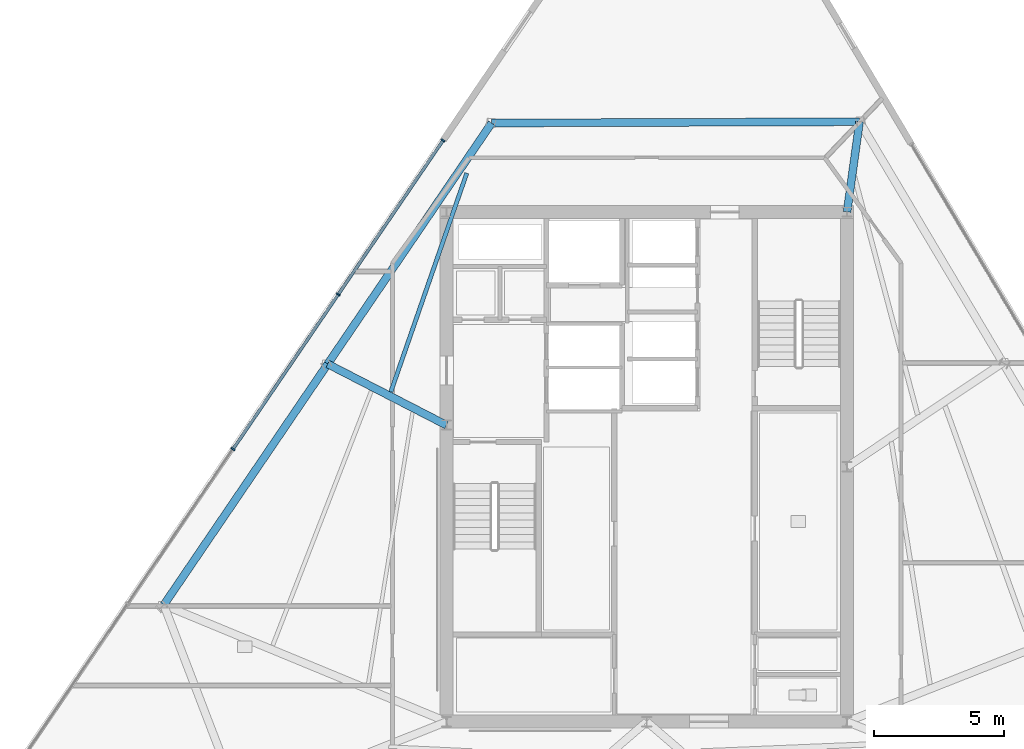
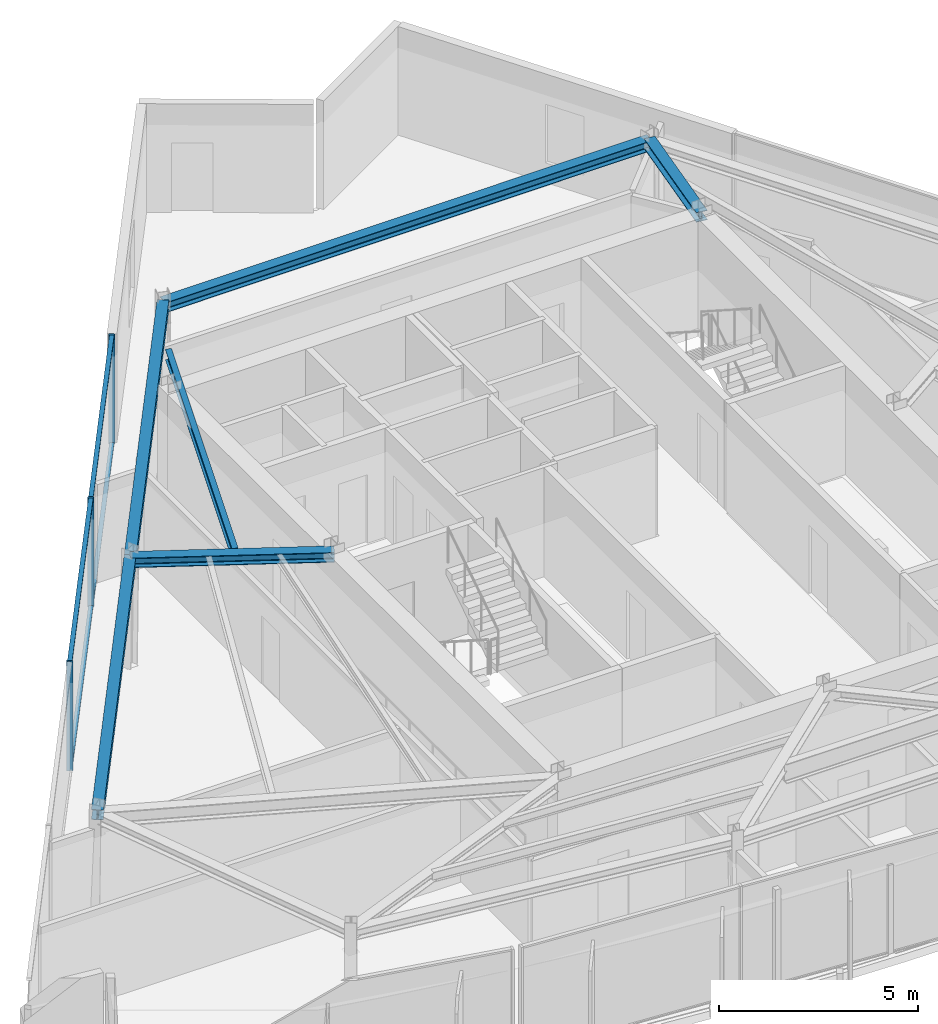
# One storey, part 4 of 12: 7 members, 6 beams, 1 element without a shape of its own.
"""IFC4 building model written with IfcOpenShell, lengths in metres."""

import ifcopenshell
import ifcopenshell.guid

model = None  # the IFC model being written
_history = None  # IfcOwnerHistory: only IFC2X3 demands one
_inside = {}  # id of a spatial element -> (the spatial element, [elements in it])
_under = {}  # id of a project, library or spatial element -> (it, [spatial elements below it])
_declared = {}  # id of a project -> (the project, [libraries it declares])
_typed = {}  # id of a type object -> (the type object, [elements of that type])
_made_of = {}  # id of a material, layer set ... -> (it, [elements and type objects made of it])


def new_model(schema):
    """Start an empty IFC model of exactly this schema.

    Asked for "IFC4X3", IfcOpenShell would pick the latest addendum, in which some entities
    have other attributes; the version numbers below select the first issue.
    IFC2X3 requires an IfcOwnerHistory on every rooted entity: one is made here for all.
    """
    global model, _history
    if schema == "IFC4X3":
        model = ifcopenshell.file(schema_version=(4, 3, 0, 0))
    else:
        model = ifcopenshell.file(schema=schema)
    _inside.clear()
    _under.clear()
    _declared.clear()
    _typed.clear()
    _made_of.clear()
    _history = None
    if model.schema == "IFC2X3":
        org = make("IfcOrganization", Name="unknown")
        user = make(
            "IfcPersonAndOrganization",
            ThePerson=make("IfcPerson", FamilyName="unknown"),
            TheOrganization=org,
        )
        app = make(
            "IfcApplication",
            ApplicationDeveloper=org,
            Version="unknown",
            ApplicationFullName="unknown",
            ApplicationIdentifier="unknown",
        )
        _history = make(
            "IfcOwnerHistory",
            OwningUser=user,
            OwningApplication=app,
            ChangeAction="ADDED",
            CreationDate=0,
        )
    return model


def make(cls, **values):
    """One entity of the class cls with the attributes given. An attribute that is None is left unset."""
    return model.create_entity(
        cls, **{name: value for name, value in values.items() if value is not None}
    )


def rooted(cls, **values):
    """An entity with a GlobalId (a new one), such as an element, a storey or a relation."""
    return make(cls, GlobalId=ifcopenshell.guid.new(), OwnerHistory=_history, **values)


def si_unit(unit_type, name, prefix=None):
    """IfcSIUnit, for example si_unit("LENGTHUNIT", "METRE", prefix="MILLI")."""
    return make("IfcSIUnit", UnitType=unit_type, Prefix=prefix, Name=name)


def assignment(units):
    """IfcUnitAssignment: the units of a project."""
    return None if units is None else make("IfcUnitAssignment", Units=units)


def point(xyz):
    """IfcCartesianPoint."""
    return None if xyz is None else make("IfcCartesianPoint", Coordinates=xyz)


def direction(xyz):
    """IfcDirection."""
    return None if xyz is None else make("IfcDirection", DirectionRatios=xyz)


def frame(location, z_axis=None, x_axis=None):
    """IfcAxis2Placement3D, a coordinate frame: its origin and axes. An axis left out is left unset."""
    return make(
        "IfcAxis2Placement3D",
        Location=point(location),
        Axis=direction(z_axis),
        RefDirection=direction(x_axis),
    )


def frame_2d(location, x_axis=None):
    """IfcAxis2Placement2D, a coordinate frame in the plane: its origin and x axis."""
    return make(
        "IfcAxis2Placement2D", Location=point(location), RefDirection=direction(x_axis)
    )


def origin():
    """The frame at (0, 0, 0) with its axes left unset."""
    return frame((0.0, 0.0, 0.0))


def origin_2d():
    """The frame at (0, 0) in the plane with its x axis left unset."""
    return frame_2d((0.0, 0.0))


def place(relative_to, where):
    """IfcLocalPlacement: puts the frame where relative to a parent placement (None: the world)."""
    return make(
        "IfcLocalPlacement", PlacementRelTo=relative_to, RelativePlacement=where
    )


def context(
    kind, dimensions, precision=None, world=None, true_north=None, identifier=None
):
    """IfcGeometricRepresentationContext, for example the 3D "Model" context."""
    return make(
        "IfcGeometricRepresentationContext",
        ContextIdentifier=identifier,
        ContextType=kind,
        CoordinateSpaceDimension=dimensions,
        Precision=precision,
        WorldCoordinateSystem=world,
        TrueNorth=true_north,
    )


def subcontext(parent, identifier, kind, view, scale=None):
    """IfcGeometricRepresentationSubContext, for example "Body" below "Model"."""
    return make(
        "IfcGeometricRepresentationSubContext",
        ContextIdentifier=identifier,
        ContextType=kind,
        ParentContext=parent,
        TargetScale=scale,
        TargetView=view,
    )


def project(units=None, contexts=None):
    """IfcProject with its units and contexts."""
    return rooted(
        "IfcProject",
        Name="project",
        RepresentationContexts=contexts,
        UnitsInContext=assignment(units),
    )


def spatial(cls, under=None, at=None, **own):
    """A site, building, storey or space (cls), placed at a placement, below another one or the project."""
    s = rooted(cls, ObjectPlacement=at, **own)
    if under is not None:
        _under.setdefault(under.id(), (under, []))[1].append(s)
    return s


def profile(cls, at=None, kind="AREA", **sizes):
    """A parametric profile (cls). Its sizes go by their IFC names, for example OverallWidth=200.0."""
    return make(cls, ProfileType=kind, Position=at, **sizes)


def rectangle(**sizes):
    """IfcRectangleProfileDef."""
    return profile("IfcRectangleProfileDef", **sizes)


def i_section(**sizes):
    """IfcIShapeProfileDef."""
    return profile("IfcIShapeProfileDef", **sizes)


def extrude(swept, where, along, depth):
    """IfcExtrudedAreaSolid: the profile swept, set in the frame where, extruded along a direction by depth."""
    return make(
        "IfcExtrudedAreaSolid",
        SweptArea=swept,
        Position=where,
        ExtrudedDirection=direction(along),
        Depth=depth,
    )


def shape(context_of_items, identifier, shape_type, items):
    """IfcShapeRepresentation: the items that make up one representation, for example the "Body"."""
    return make(
        "IfcShapeRepresentation",
        ContextOfItems=context_of_items,
        RepresentationIdentifier=identifier,
        RepresentationType=shape_type,
        Items=items,
    )


def material(Name=None, Category=None):
    """IfcMaterial."""
    return make("IfcMaterial", Name=Name, Category=Category)


def material_profile(
    of_material, cross_section, Name=None, Category=None, Priority=None
):
    """IfcMaterialProfile: a cross section and its material."""
    return make(
        "IfcMaterialProfile",
        Name=Name,
        Material=of_material,
        Profile=cross_section,
        Priority=Priority,
        Category=Category,
    )


def profile_set(profiles, Name=None, composite=None):
    """IfcMaterialProfileSet."""
    return make(
        "IfcMaterialProfileSet",
        Name=Name,
        MaterialProfiles=profiles,
        CompositeProfile=composite,
    )


def made_of(thing, what):
    """Note that an element or type object is made of a material, layer set ...; save() writes the relation."""
    if what is not None:
        _made_of.setdefault(what.id(), (what, []))[1].append(thing)
    return thing


def type_object(cls, material=None, **own):
    """A type object (cls), such as IfcWallType, which elements share."""
    return made_of(rooted(cls, **own), material)


def element(
    cls,
    number,
    at=None,
    inside=None,
    cuts=None,
    type_object=None,
    material=None,
    context=None,
    identifier="Body",
    shape_type=None,
    held_by="IfcProductDefinitionShape",
    body=None,
    shapes=None,
    **own,
):
    """One element of the class cls, such as IfcWall. Its Tag is "e" and its number.

    at: its placement. inside: the storey or other place that contains it. cuts: it is an
    opening in that element (IfcRelVoidsElement). A single representation is given by context,
    identifier, shape_type and body (its items); several are given by shapes. held_by: the class
    of the entity that holds the representations. save() writes the other relations.
    """
    e = rooted(cls, Tag="e%d" % number, ObjectPlacement=at, **own)
    if body is not None:
        shapes = [shape(context, identifier, shape_type, body)]
    if shapes is not None:
        e.Representation = make(held_by, Representations=shapes)
    if inside is not None:
        _inside.setdefault(inside.id(), (inside, []))[1].append(e)
    if cuts is not None:
        rooted(
            "IfcRelVoidsElement", RelatingBuildingElement=cuts, RelatedOpeningElement=e
        )
    if type_object is not None:
        _typed.setdefault(type_object.id(), (type_object, []))[1].append(e)
    return made_of(e, material)


def aggregate(whole, parts):
    """IfcRelAggregates: a whole, such as a stair, and the parts it consists of."""
    return rooted("IfcRelAggregates", RelatingObject=whole, RelatedObjects=parts)


def save(model, path):
    """Write the relations noted so far, then the file.

    IfcRelAggregates (storeys below a building ...), IfcRelContainedInSpatialStructure (elements
    in a storey), IfcRelDefinesByType, IfcRelAssociatesMaterial and IfcRelDeclares: one each for
    every whole, place, type object, material and project.
    """
    for whole, parts in _under.values():
        aggregate(whole, parts)
    for where, things in _inside.values():
        rooted(
            "IfcRelContainedInSpatialStructure",
            RelatedElements=things,
            RelatingStructure=where,
        )
    for kind, things in _typed.values():
        rooted("IfcRelDefinesByType", RelatedObjects=things, RelatingType=kind)
    for what, things in _made_of.values():
        rooted("IfcRelAssociatesMaterial", RelatedObjects=things, RelatingMaterial=what)
    for by, libraries in _declared.values():
        rooted("IfcRelDeclares", RelatingContext=by, RelatedDefinitions=libraries)
    model.write(path)


model = new_model("IFC4")

# Units and contexts
model_context = context("Model", 3, precision=1e-05, world=origin(), true_north=direction((0.0, 1.0)))
body_context = subcontext(model_context, "Body", "Model", "MODEL_VIEW")
ifc_project = project(units=[si_unit("LENGTHUNIT", "METRE"), si_unit("AREAUNIT", "SQUARE_METRE"), si_unit("VOLUMEUNIT", "CUBIC_METRE"), si_unit("PLANEANGLEUNIT", "RADIAN"), si_unit("MASSUNIT", "GRAM", prefix="KILO")], contexts=[model_context])

# Site, building, storey
site_placement = place(None, origin())
site = spatial("IfcSite", under=ifc_project, at=site_placement, CompositionType="ELEMENT")
building_placement = place(site_placement, origin())
building = spatial("IfcBuilding", under=site, at=building_placement, Name="Savorim Split Tower", CompositionType="ELEMENT")
storey_placement = place(building_placement, frame((0.0, 0.0, 261.60009765625)))
storey = spatial("IfcBuildingStorey", under=building, at=storey_placement, Name="L69", CompositionType="ELEMENT", Elevation=261.60009765625)

# Beams
ifc_material_1 = material(Name="Steel S355", Category="steel")
ifc_material_profile_1 = material_profile(ifc_material_1, i_section(OverallWidth=0.159912109375, OverallDepth=0.330078125, WebThickness=0.007568359375, FlangeThickness=0.011474609375, FilletRadius=0.01806640625, at=origin_2d()), Name="IPE 330")
ifc_profile_set_1 = profile_set([ifc_material_profile_1], Name="Steel S355")
beam_type_1 = type_object("IfcBeamType", Name="BM-JST-IPE330", PredefinedType="JOIST", material=ifc_profile_set_1)
beam_1_placement = place(storey_placement, frame((-6.919189453125, 11.6884765625, 3.184814453125), z_axis=(-0.328043985291, -0.944662449616, 0.0), x_axis=(0.944662449616, -0.328043985291, 0.0)))
element("IfcBeam", 1, at=beam_1_placement, inside=storey, type_object=beam_type_1, Name="L69 Secondary Floor Joist JS-09", PredefinedType="JOIST", context=body_context, shape_type="SweptSolid", body=[
    extrude(i_section(OverallWidth=0.159912109375, OverallDepth=0.330078125, WebThickness=0.007568359375, FlangeThickness=0.011474609375, FilletRadius=0.01806640625, at=origin_2d()), origin(), (0.0, 0.0, 1.0), 8.901123046875),
])
ifc_material_profile_2 = material_profile(ifc_material_1, i_section(OverallWidth=0.300048828125, OverallDepth=0.300048828125, WebThickness=0.010986328125, FlangeThickness=0.01904296875, FilletRadius=0.027099609375, at=origin_2d()), Name="HEB 300")
ifc_profile_set_2 = profile_set([ifc_material_profile_2], Name="Steel S355")
beam_type_2 = type_object("IfcBeamType", Name="BM-PRI-HEB300", PredefinedType="BEAM", material=ifc_profile_set_2)
beam_2_placement = place(storey_placement, frame((8.18115234375, 13.664306640625, 3.199951171875), z_axis=(-0.137579784768, -0.990490687903, 0.0), x_axis=(0.990490687903, -0.137579784768, 0.0)))
element("IfcBeam", 2, at=beam_2_placement, inside=storey, type_object=beam_type_2, Name="L69 Primary Floor Girder RG-07", PredefinedType="BEAM", context=body_context, shape_type="SweptSolid", body=[
    extrude(i_section(OverallWidth=0.300048828125, OverallDepth=0.300048828125, WebThickness=0.010986328125, FlangeThickness=0.01904296875, FilletRadius=0.027099609375, at=origin_2d()), origin(), (0.0, 0.0, 1.0), 3.49755859375),
])
beam_3_placement = place(storey_placement, frame((-12.265869140625, 4.351806640625, 3.199951171875), z_axis=(0.889000944161, -0.457905362801, 0.0), x_axis=(0.457905362801, 0.889000944161, 0.0)))
element("IfcBeam", 3, at=beam_3_placement, inside=storey, type_object=beam_type_2, Name="L69 Primary Floor Girder RG-09", PredefinedType="BEAM", context=body_context, shape_type="SweptSolid", body=[
    extrude(i_section(OverallWidth=0.300048828125, OverallDepth=0.300048828125, WebThickness=0.010986328125, FlangeThickness=0.01904296875, FilletRadius=0.027099609375, at=origin_2d()), origin(), (0.0, 0.0, 1.0), 5.135986328125),
])
ifc_material_profile_3 = material_profile(ifc_material_1, i_section(OverallWidth=0.300048828125, OverallDepth=0.31005859375, WebThickness=0.009033203125, FlangeThickness=0.015380859375, FilletRadius=0.027099609375, at=origin_2d()), Name="HEA 320")
ifc_profile_set_3 = profile_set([ifc_material_profile_3], Name="Steel S355")
beam_type_3 = type_object("IfcBeamType", Name="BM-SPN-HEA320", PredefinedType="SPANDREL", material=ifc_profile_set_3)
beam_4_placement = place(storey_placement, frame((8.18115234375, 13.664306640625, 3.19482421875), z_axis=(-0.999994042019, -0.003451945328, 0.0), x_axis=(0.003451945328, -0.999994042019, 0.0)))
element("IfcBeam", 4, at=beam_4_placement, inside=storey, type_object=beam_type_3, Name="L69 Perimeter Spandrel Beam 7", PredefinedType="SPANDREL", context=body_context, shape_type="SweptSolid", body=[
    extrude(i_section(OverallWidth=0.300048828125, OverallDepth=0.31005859375, WebThickness=0.009033203125, FlangeThickness=0.015380859375, FilletRadius=0.027099609375, at=origin_2d()), origin(), (0.0, 0.0, 1.0), 14.14501953125),
])
beam_5_placement = place(storey_placement, frame((-5.9638671875, 13.615478515625, 3.19482421875), z_axis=(-0.562475106906, -0.826814219829, 0.0), x_axis=(0.826814219829, -0.562475106906, 0.0)))
element("IfcBeam", 5, at=beam_5_placement, inside=storey, type_object=beam_type_3, Name="L69 Perimeter Spandrel Beam 8", PredefinedType="SPANDREL", context=body_context, shape_type="SweptSolid", body=[
    extrude(i_section(OverallWidth=0.300048828125, OverallDepth=0.31005859375, WebThickness=0.009033203125, FlangeThickness=0.015380859375, FilletRadius=0.027099609375, at=origin_2d()), origin(), (0.0, 0.0, 1.0), 11.2041015625),
])
beam_6_placement = place(storey_placement, frame((-12.265869140625, 4.351806640625, 3.19482421875), z_axis=(-0.562460210254, -0.826824353706, 0.0), x_axis=(0.826824353706, -0.562460210254, 0.0)))
element("IfcBeam", 6, at=beam_6_placement, inside=storey, type_object=beam_type_3, Name="L69 Perimeter Spandrel Beam 9", PredefinedType="SPANDREL", context=body_context, shape_type="SweptSolid", body=[
    extrude(i_section(OverallWidth=0.300048828125, OverallDepth=0.31005859375, WebThickness=0.009033203125, FlangeThickness=0.015380859375, FilletRadius=0.027099609375, at=origin_2d()), origin(), (0.0, 0.0, 1.0), 11.203857421875),
])

# Curtain wall, members
ifc_material_2 = material(Name="Dark Ceramic-Fritted Insulated Glass", Category="glass")
curtain_wall_type = type_object("IfcCurtainWallType", Name="CW-TWR-FRIT-B", PredefinedType="NOTDEFINED", material=ifc_material_2)
curtain_wall_placement = place(storey_placement, origin())
curtain_wall = element("IfcCurtainWall", 7, at=curtain_wall_placement, inside=storey, type_object=curtain_wall_type, Name="L69 Curtain Wall CW-L69-WEST", PredefinedType="NOTDEFINED")
ifc_material_3 = material(Name="Charcoal Anodised Aluminium", Category="aluminium")
ifc_material_profile_4 = material_profile(ifc_material_3, rectangle(XDim=0.159912109375, YDim=0.06005859375, at=origin_2d()), Name="ALU-M 160x60")
ifc_profile_set_4 = profile_set([ifc_material_profile_4], Name="Charcoal Anodised Aluminium")
member_type_1 = type_object("IfcMemberType", Name="CWM-160x60", PredefinedType="MULLION", material=ifc_profile_set_4)
member_1_placement = place(storey_placement, frame((-7.833740234375, 12.946044921875, 0.0), z_axis=(0.0, 0.0, 1.0), x_axis=(0.826817472755, -0.562470325215, 0.0)))
member_1 = element("IfcMember", 8, at=member_1_placement, type_object=member_type_1, Name="CW-03 mullion 1", PredefinedType="MULLION", context=body_context, shape_type="SweptSolid", body=[
    extrude(rectangle(XDim=0.159912109375, YDim=0.06005859375, at=origin_2d()), origin(), (0.0, 0.0, 1.0), 3.349853515625),
])
member_2_placement = place(storey_placement, frame((-11.86181640625, 7.02490234375, 0.0), z_axis=(0.0, 0.0, 1.0), x_axis=(0.826817472755, -0.562470325215, 0.0)))
member_2 = element("IfcMember", 9, at=member_2_placement, type_object=member_type_1, Name="CW-03 mullion 2", PredefinedType="MULLION", context=body_context, shape_type="SweptSolid", body=[
    extrude(rectangle(XDim=0.159912109375, YDim=0.06005859375, at=origin_2d()), origin(), (0.0, 0.0, 1.0), 3.349853515625),
])
member_3_placement = place(storey_placement, frame((-15.906982421875, 1.078857421875, 0.0), z_axis=(0.0, 0.0, 1.0), x_axis=(0.826817472755, -0.562470325215, 0.0)))
member_3 = element("IfcMember", 10, at=member_3_placement, type_object=member_type_1, Name="CW-03 mullion 3", PredefinedType="MULLION", context=body_context, shape_type="SweptSolid", body=[
    extrude(rectangle(XDim=0.159912109375, YDim=0.06005859375, at=origin_2d()), origin(), (0.0, 0.0, 1.0), 3.349853515625),
])
ifc_material_profile_5 = material_profile(ifc_material_3, rectangle(XDim=0.1201171875, YDim=0.050048828125, at=origin_2d()), Name="ALU-T 120x50")
ifc_profile_set_5 = profile_set([ifc_material_profile_5], Name="Charcoal Anodised Aluminium")
member_type_2 = type_object("IfcMemberType", Name="CWT-120x50", PredefinedType="USERDEFINED", material=ifc_profile_set_5)
member_4_placement = place(storey_placement, frame((-7.8505859375, 12.92138671875, 0.02490234375), z_axis=(-0.562458582496, -0.826825461011, 0.0), x_axis=(0.826825461011, -0.562458582496, 0.0)))
member_4 = element("IfcMember", 11, at=member_4_placement, type_object=member_type_2, Name="CW-03 transom 1.1", ObjectType="TRANSOM", PredefinedType="USERDEFINED", context=body_context, shape_type="SweptSolid", body=[
    extrude(rectangle(XDim=0.1201171875, YDim=0.050048828125, at=origin_2d()), origin(), (0.0, 0.0, 1.0), 7.1015625),
])
member_5_placement = place(storey_placement, frame((-7.8505859375, 12.92138671875, 3.324951171875), z_axis=(-0.562458582496, -0.826825461011, 0.0), x_axis=(0.826825461011, -0.562458582496, 0.0)))
member_5 = element("IfcMember", 12, at=member_5_placement, type_object=member_type_2, Name="CW-03 transom 1.2", ObjectType="TRANSOM", PredefinedType="USERDEFINED", context=body_context, shape_type="SweptSolid", body=[
    extrude(rectangle(XDim=0.1201171875, YDim=0.050048828125, at=origin_2d()), origin(), (0.0, 0.0, 1.0), 7.1015625),
])
member_6_placement = place(storey_placement, frame((-11.878662109375, 7.0, 0.02490234375), z_axis=(-0.56248885338, -0.826804868045, 0.0), x_axis=(0.826804868045, -0.56248885338, 0.0)))
member_6 = element("IfcMember", 13, at=member_6_placement, type_object=member_type_2, Name="CW-03 transom 2.1", ObjectType="TRANSOM", PredefinedType="USERDEFINED", context=body_context, shape_type="SweptSolid", body=[
    extrude(rectangle(XDim=0.1201171875, YDim=0.050048828125, at=origin_2d()), origin(), (0.0, 0.0, 1.0), 7.131591796875),
])
member_7_placement = place(storey_placement, frame((-11.878662109375, 7.0, 3.324951171875), z_axis=(-0.56248885338, -0.826804868045, 0.0), x_axis=(0.826804868045, -0.56248885338, 0.0)))
member_7 = element("IfcMember", 14, at=member_7_placement, type_object=member_type_2, Name="CW-03 transom 2.2", ObjectType="TRANSOM", PredefinedType="USERDEFINED", context=body_context, shape_type="SweptSolid", body=[
    extrude(rectangle(XDim=0.1201171875, YDim=0.050048828125, at=origin_2d()), origin(), (0.0, 0.0, 1.0), 7.131591796875),
])
aggregate(curtain_wall, [member_1, member_2, member_3, member_4, member_5, member_6, member_7])

save(model, "model.ifc")
